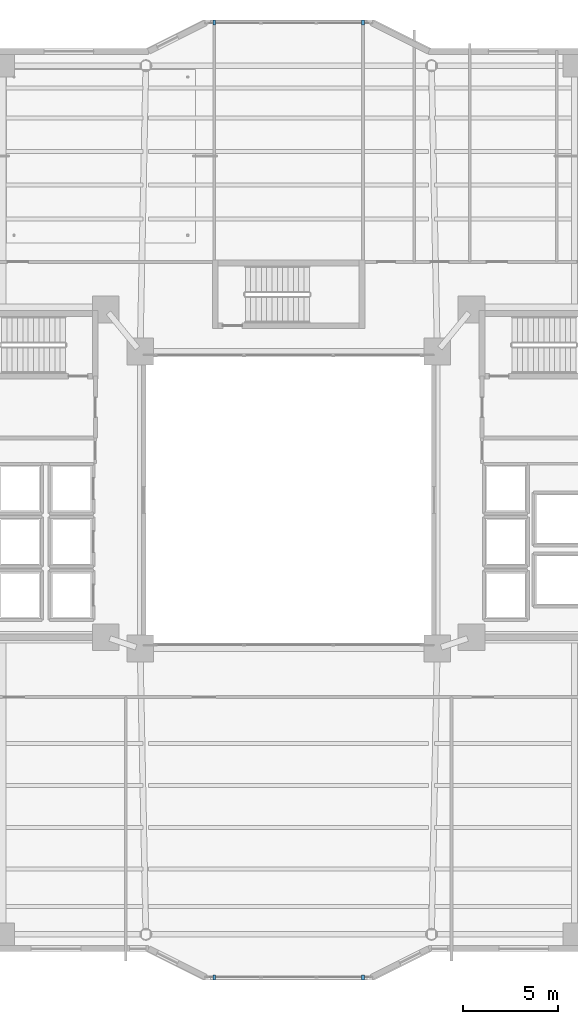
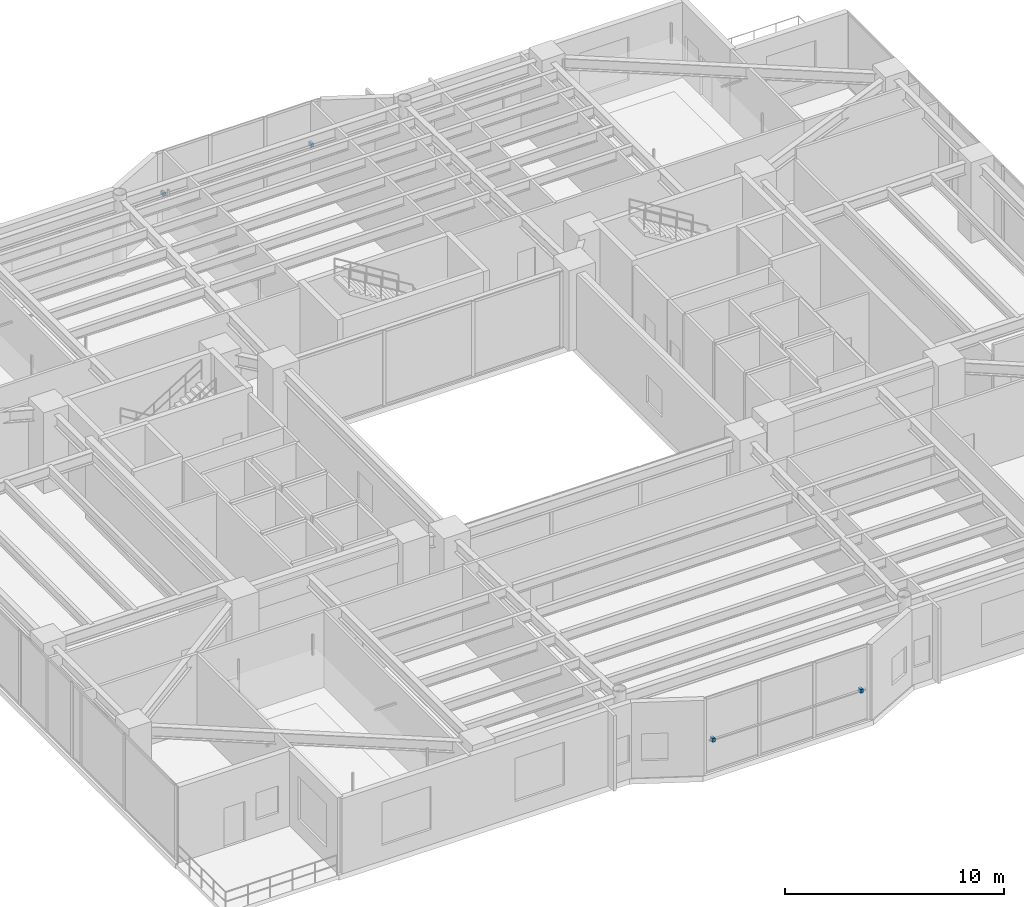
# One storey, part 37 of 40: 4 discrete accessories.
"""IFC4 building model written with IfcOpenShell, lengths in metres."""

from ifc_helpers import new_model, si_unit, direction, frame, origin, origin_2d, place, context, subcontext, project, spatial, rectangle, extrude, material, type_object, element, save


model = new_model("IFC4")

# Units and contexts
model_context = context("Model", 3, precision=1e-05, world=origin(), true_north=direction((0.0, 1.0)))
body_context = subcontext(model_context, "Body", "Model", "MODEL_VIEW")
ifc_project = project(units=[si_unit("LENGTHUNIT", "METRE"), si_unit("AREAUNIT", "SQUARE_METRE"), si_unit("VOLUMEUNIT", "CUBIC_METRE"), si_unit("PLANEANGLEUNIT", "RADIAN"), si_unit("MASSUNIT", "GRAM", prefix="KILO")], contexts=[model_context])

# Site, building, storey
site_placement = place(None, origin())
site = spatial("IfcSite", under=ifc_project, at=site_placement, CompositionType="ELEMENT")
building_placement = place(site_placement, origin())
building = spatial("IfcBuilding", under=site, at=building_placement, Name="Tarnavaz Court Tower", CompositionType="ELEMENT")
storey_placement = place(building_placement, frame((0.0, 0.0, 64.199951171875)))
storey = spatial("IfcBuildingStorey", under=building, at=storey_placement, Name="L17", CompositionType="ELEMENT", Elevation=64.199951171875)

# Discrete accessories
ifc_material = material(Name="Anodised Aluminium 6063-T6", Category="aluminium")
discrete_accessory_type = type_object("IfcDiscreteAccessoryType", Name="DA-BRKT-ALU", PredefinedType="BRACKET", material=ifc_material)
for number, where, z_axis, x_axis, name in (
    (1, (-3.89990234375, 25.070068359375, 1.7001953125), (0.0, 0.0, 1.0), (1.0, 0.0, 0.0), "L17 Baguette Outrigger Bracket PBG7-1"),
    (2, (3.89990234375, 25.070068359375, 1.7001953125), (0.0, 0.0, 1.0), (1.0, 0.0, 0.0), "L17 Baguette Outrigger Bracket PBG7-2"),
    (3, (3.89990234375, -25.070068359375, 1.7001953125), (0.0, 0.0, 1.0), (-1.0, 0.0, 0.0), "L17 Baguette Outrigger Bracket PBG17-1"),
    (4, (-3.89990234375, -25.070068359375, 1.7001953125), (0.0, 0.0, 1.0), (-1.0, 0.0, 0.0), "L17 Baguette Outrigger Bracket PBG17-2"),
):
    element("IfcDiscreteAccessory", number, at=place(storey_placement, frame(where, z_axis=z_axis, x_axis=x_axis)), inside=storey, type_object=discrete_accessory_type, Name=name, PredefinedType="BRACKET", context=body_context, shape_type="SweptSolid", body=[
        extrude(rectangle(XDim=0.139892578125, YDim=0.239990234375, at=origin_2d()), origin(), (0.0, 0.0, 1.0), 0.199951171875),
    ])

save(model, "model.ifc")
